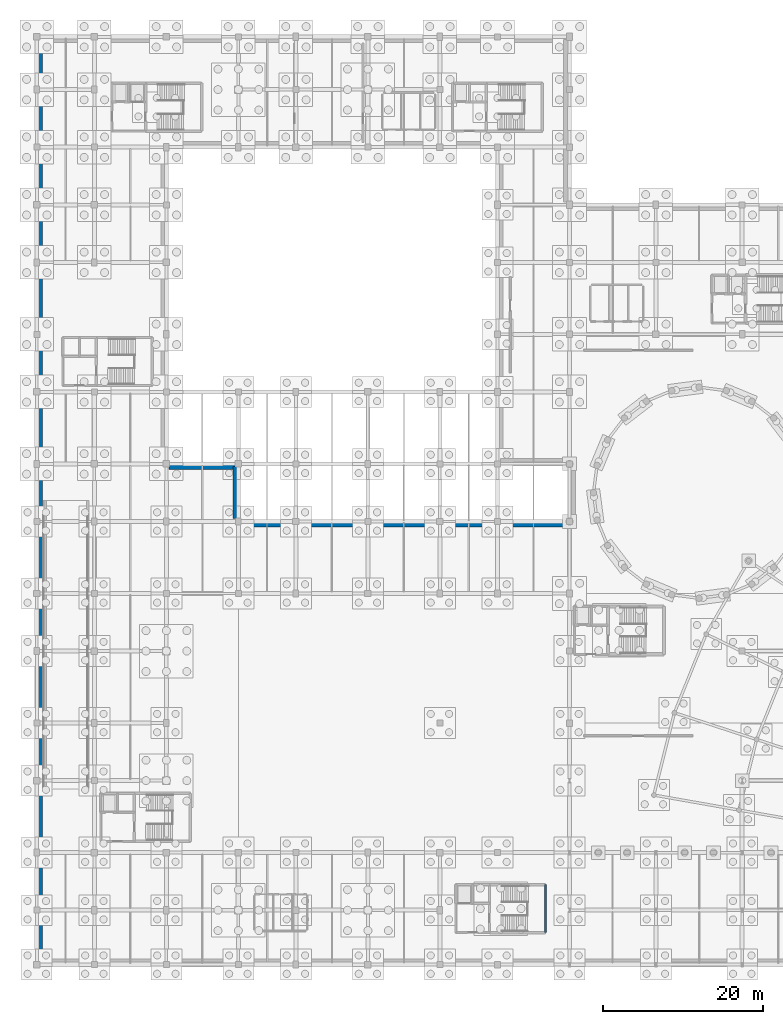
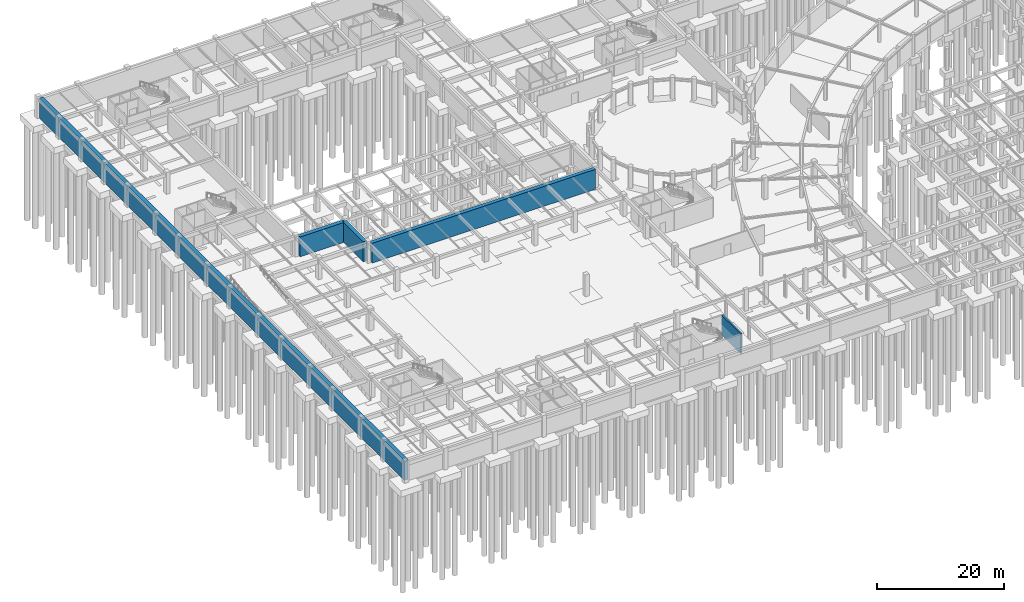
# One storey, part 32 of 42: 5 walls.
"""IFC4 building model written with IfcOpenShell, lengths in metres."""

import ifcopenshell
import ifcopenshell.guid

model = None  # the IFC model being written
_history = None  # IfcOwnerHistory: only IFC2X3 demands one
_inside = {}  # id of a spatial element -> (the spatial element, [elements in it])
_under = {}  # id of a project, library or spatial element -> (it, [spatial elements below it])
_declared = {}  # id of a project -> (the project, [libraries it declares])
_typed = {}  # id of a type object -> (the type object, [elements of that type])
_made_of = {}  # id of a material, layer set ... -> (it, [elements and type objects made of it])


def new_model(schema):
    """Start an empty IFC model of exactly this schema.

    Asked for "IFC4X3", IfcOpenShell would pick the latest addendum, in which some entities
    have other attributes; the version numbers below select the first issue.
    IFC2X3 requires an IfcOwnerHistory on every rooted entity: one is made here for all.
    """
    global model, _history
    if schema == "IFC4X3":
        model = ifcopenshell.file(schema_version=(4, 3, 0, 0))
    else:
        model = ifcopenshell.file(schema=schema)
    _inside.clear()
    _under.clear()
    _declared.clear()
    _typed.clear()
    _made_of.clear()
    _history = None
    if model.schema == "IFC2X3":
        org = make("IfcOrganization", Name="unknown")
        user = make(
            "IfcPersonAndOrganization",
            ThePerson=make("IfcPerson", FamilyName="unknown"),
            TheOrganization=org,
        )
        app = make(
            "IfcApplication",
            ApplicationDeveloper=org,
            Version="unknown",
            ApplicationFullName="unknown",
            ApplicationIdentifier="unknown",
        )
        _history = make(
            "IfcOwnerHistory",
            OwningUser=user,
            OwningApplication=app,
            ChangeAction="ADDED",
            CreationDate=0,
        )
    return model


def make(cls, **values):
    """One entity of the class cls with the attributes given. An attribute that is None is left unset."""
    return model.create_entity(
        cls, **{name: value for name, value in values.items() if value is not None}
    )


def rooted(cls, **values):
    """An entity with a GlobalId (a new one), such as an element, a storey or a relation."""
    return make(cls, GlobalId=ifcopenshell.guid.new(), OwnerHistory=_history, **values)


def si_unit(unit_type, name, prefix=None):
    """IfcSIUnit, for example si_unit("LENGTHUNIT", "METRE", prefix="MILLI")."""
    return make("IfcSIUnit", UnitType=unit_type, Prefix=prefix, Name=name)


def assignment(units):
    """IfcUnitAssignment: the units of a project."""
    return None if units is None else make("IfcUnitAssignment", Units=units)


def point(xyz):
    """IfcCartesianPoint."""
    return None if xyz is None else make("IfcCartesianPoint", Coordinates=xyz)


def direction(xyz):
    """IfcDirection."""
    return None if xyz is None else make("IfcDirection", DirectionRatios=xyz)


def frame(location, z_axis=None, x_axis=None):
    """IfcAxis2Placement3D, a coordinate frame: its origin and axes. An axis left out is left unset."""
    return make(
        "IfcAxis2Placement3D",
        Location=point(location),
        Axis=direction(z_axis),
        RefDirection=direction(x_axis),
    )


def frame_2d(location, x_axis=None):
    """IfcAxis2Placement2D, a coordinate frame in the plane: its origin and x axis."""
    return make(
        "IfcAxis2Placement2D", Location=point(location), RefDirection=direction(x_axis)
    )


def origin():
    """The frame at (0, 0, 0) with its axes left unset."""
    return frame((0.0, 0.0, 0.0))


def place(relative_to, where):
    """IfcLocalPlacement: puts the frame where relative to a parent placement (None: the world)."""
    return make(
        "IfcLocalPlacement", PlacementRelTo=relative_to, RelativePlacement=where
    )


def context(
    kind, dimensions, precision=None, world=None, true_north=None, identifier=None
):
    """IfcGeometricRepresentationContext, for example the 3D "Model" context."""
    return make(
        "IfcGeometricRepresentationContext",
        ContextIdentifier=identifier,
        ContextType=kind,
        CoordinateSpaceDimension=dimensions,
        Precision=precision,
        WorldCoordinateSystem=world,
        TrueNorth=true_north,
    )


def subcontext(parent, identifier, kind, view, scale=None):
    """IfcGeometricRepresentationSubContext, for example "Body" below "Model"."""
    return make(
        "IfcGeometricRepresentationSubContext",
        ContextIdentifier=identifier,
        ContextType=kind,
        ParentContext=parent,
        TargetScale=scale,
        TargetView=view,
    )


def project(units=None, contexts=None):
    """IfcProject with its units and contexts."""
    return rooted(
        "IfcProject",
        Name="project",
        RepresentationContexts=contexts,
        UnitsInContext=assignment(units),
    )


def spatial(cls, under=None, at=None, **own):
    """A site, building, storey or space (cls), placed at a placement, below another one or the project."""
    s = rooted(cls, ObjectPlacement=at, **own)
    if under is not None:
        _under.setdefault(under.id(), (under, []))[1].append(s)
    return s


def profile(cls, at=None, kind="AREA", **sizes):
    """A parametric profile (cls). Its sizes go by their IFC names, for example OverallWidth=200.0."""
    return make(cls, ProfileType=kind, Position=at, **sizes)


def rectangle(**sizes):
    """IfcRectangleProfileDef."""
    return profile("IfcRectangleProfileDef", **sizes)


def extrude(swept, where, along, depth):
    """IfcExtrudedAreaSolid: the profile swept, set in the frame where, extruded along a direction by depth."""
    return make(
        "IfcExtrudedAreaSolid",
        SweptArea=swept,
        Position=where,
        ExtrudedDirection=direction(along),
        Depth=depth,
    )


def shape(context_of_items, identifier, shape_type, items):
    """IfcShapeRepresentation: the items that make up one representation, for example the "Body"."""
    return make(
        "IfcShapeRepresentation",
        ContextOfItems=context_of_items,
        RepresentationIdentifier=identifier,
        RepresentationType=shape_type,
        Items=items,
    )


def material(Name=None, Category=None):
    """IfcMaterial."""
    return make("IfcMaterial", Name=Name, Category=Category)


def layer(
    of_material, thickness, ventilated=None, Name=None, Category=None, Priority=None
):
    """IfcMaterialLayer: one layer of a wall or slab, of a material (None: an air gap)."""
    return make(
        "IfcMaterialLayer",
        Material=of_material,
        LayerThickness=thickness,
        IsVentilated=ventilated,
        Name=Name,
        Category=Category,
        Priority=Priority,
    )


def layer_set(layers, Name=None):
    """IfcMaterialLayerSet."""
    return make("IfcMaterialLayerSet", MaterialLayers=layers, LayerSetName=Name)


def made_of(thing, what):
    """Note that an element or type object is made of a material, layer set ...; save() writes the relation."""
    if what is not None:
        _made_of.setdefault(what.id(), (what, []))[1].append(thing)
    return thing


def type_object(cls, material=None, **own):
    """A type object (cls), such as IfcWallType, which elements share."""
    return made_of(rooted(cls, **own), material)


def element(
    cls,
    number,
    at=None,
    inside=None,
    cuts=None,
    type_object=None,
    material=None,
    context=None,
    identifier="Body",
    shape_type=None,
    held_by="IfcProductDefinitionShape",
    body=None,
    shapes=None,
    **own,
):
    """One element of the class cls, such as IfcWall. Its Tag is "e" and its number.

    at: its placement. inside: the storey or other place that contains it. cuts: it is an
    opening in that element (IfcRelVoidsElement). A single representation is given by context,
    identifier, shape_type and body (its items); several are given by shapes. held_by: the class
    of the entity that holds the representations. save() writes the other relations.
    """
    e = rooted(cls, Tag="e%d" % number, ObjectPlacement=at, **own)
    if body is not None:
        shapes = [shape(context, identifier, shape_type, body)]
    if shapes is not None:
        e.Representation = make(held_by, Representations=shapes)
    if inside is not None:
        _inside.setdefault(inside.id(), (inside, []))[1].append(e)
    if cuts is not None:
        rooted(
            "IfcRelVoidsElement", RelatingBuildingElement=cuts, RelatedOpeningElement=e
        )
    if type_object is not None:
        _typed.setdefault(type_object.id(), (type_object, []))[1].append(e)
    return made_of(e, material)


def aggregate(whole, parts):
    """IfcRelAggregates: a whole, such as a stair, and the parts it consists of."""
    return rooted("IfcRelAggregates", RelatingObject=whole, RelatedObjects=parts)


def save(model, path):
    """Write the relations noted so far, then the file.

    IfcRelAggregates (storeys below a building ...), IfcRelContainedInSpatialStructure (elements
    in a storey), IfcRelDefinesByType, IfcRelAssociatesMaterial and IfcRelDeclares: one each for
    every whole, place, type object, material and project.
    """
    for whole, parts in _under.values():
        aggregate(whole, parts)
    for where, things in _inside.values():
        rooted(
            "IfcRelContainedInSpatialStructure",
            RelatedElements=things,
            RelatingStructure=where,
        )
    for kind, things in _typed.values():
        rooted("IfcRelDefinesByType", RelatedObjects=things, RelatingType=kind)
    for what, things in _made_of.values():
        rooted("IfcRelAssociatesMaterial", RelatedObjects=things, RelatingMaterial=what)
    for by, libraries in _declared.values():
        rooted("IfcRelDeclares", RelatingContext=by, RelatedDefinitions=libraries)
    model.write(path)


model = new_model("IFC4")

# Units and contexts
model_context = context("Model", 3, precision=1e-05, world=origin(), true_north=direction((0.0, 1.0)))
body_context = subcontext(model_context, "Body", "Model", "MODEL_VIEW")
ifc_project = project(units=[si_unit("LENGTHUNIT", "METRE"), si_unit("AREAUNIT", "SQUARE_METRE"), si_unit("VOLUMEUNIT", "CUBIC_METRE"), si_unit("PLANEANGLEUNIT", "RADIAN"), si_unit("MASSUNIT", "GRAM", prefix="KILO")], contexts=[model_context])

# Site, building, storey
site_placement = place(None, origin())
site = spatial("IfcSite", under=ifc_project, at=site_placement, CompositionType="ELEMENT")
building_placement = place(site_placement, origin())
building = spatial("IfcBuilding", under=site, at=building_placement, Name="Clarverna Civic Hall", CompositionType="ELEMENT")
storey_placement = place(building_placement, frame((0.0, 0.0, -4.199951171875)))
storey = spatial("IfcBuildingStorey", under=building, at=storey_placement, Name="B01", CompositionType="ELEMENT", Elevation=-4.199951171875)

# Walls
ifc_material_1 = material(Name="Concrete C30/37", Category="concrete")
ifc_layer_1 = layer(ifc_material_1, 0.699951171875)
ifc_layer_set_1 = layer_set([ifc_layer_1], Name="Concrete C30/37")
wall_type_1 = type_object("IfcWallType", Name="DW-01", PredefinedType="SOLIDWALL", material=ifc_layer_set_1)
wall_1_placement = place(storey_placement, frame((0.35009765625, 0.35009765625, 0.0), z_axis=(0.0, 0.0, 1.0), x_axis=(0.0, 1.0, 0.0)))
element("IfcWall", 1, at=wall_1_placement, inside=storey, type_object=wall_type_1, Name="DW-01-001", PredefinedType="SOLIDWALL", context=body_context, shape_type="SweptSolid", body=[
    extrude(rectangle(XDim=115.2998046875, YDim=0.699951171875, at=frame_2d((57.64990234375, 0.0))), origin(), (0.0, 0.0, 1.0), 3.83984375),
])
wall_2_placement = place(storey_placement, frame((16.550048828125, 62.25, 0.0), z_axis=(0.0, 0.0, 1.0), x_axis=(1.0, 0.0, 0.0)))
element("IfcWall", 2, at=wall_2_placement, inside=storey, type_object=wall_type_1, Name="DW-01-050", PredefinedType="SOLIDWALL", context=body_context, shape_type="SweptSolid", body=[
    extrude(rectangle(XDim=8.300048828125, YDim=0.699951171875, at=frame_2d((4.14990234375, 0.0))), origin(), (0.0, 0.0, 1.0), 3.83984375),
])
wall_3_placement = place(storey_placement, frame((24.85009765625, 62.25, 0.0), z_axis=(0.0, 0.0, 1.0), x_axis=(0.0, -1.0, 0.0)))
element("IfcWall", 3, at=wall_3_placement, inside=storey, type_object=wall_type_1, Name="DW-01-051", PredefinedType="SOLIDWALL", context=body_context, shape_type="SweptSolid", body=[
    extrude(rectangle(XDim=6.5, YDim=0.699951171875, at=frame_2d((3.25, 0.0))), origin(), (0.0, 0.0, 1.0), 3.83984375),
])
wall_4_placement = place(storey_placement, frame((25.550048828125, 55.050048828125, 0.0), z_axis=(0.0, 0.0, 1.0), x_axis=(1.0, 0.0, 0.0)))
element("IfcWall", 4, at=wall_4_placement, inside=storey, type_object=wall_type_1, Name="DW-01-052", PredefinedType="SOLIDWALL", context=body_context, shape_type="SweptSolid", body=[
    extrude(rectangle(XDim=40.724853515625, YDim=0.699951171875, at=frame_2d((20.3623046875, 0.0))), origin(), (0.0, 0.0, 1.0), 3.83984375),
])
ifc_material_2 = material(Name="Concrete C35/45", Category="concrete")
ifc_layer_2 = layer(ifc_material_2, 0.300048828125)
ifc_layer_set_2 = layer_set([ifc_layer_2], Name="Concrete C35/45")
wall_type_2 = type_object("IfcWallType", Name="SW-03", PredefinedType="SHEAR", material=ifc_layer_set_2)
wall_5_placement = place(storey_placement, frame((63.60009765625, 4.0, 0.0), z_axis=(0.0, 0.0, 1.0), x_axis=(0.0, 1.0, 0.0)))
element("IfcWall", 5, at=wall_5_placement, inside=storey, type_object=wall_type_2, Name="SW-03-056", PredefinedType="SHEAR", context=body_context, shape_type="SweptSolid", body=[
    extrude(rectangle(XDim=6.0, YDim=0.300048828125, at=frame_2d((3.0, 0.0))), origin(), (0.0, 0.0, 1.0), 3.83984375),
])

save(model, "model.ifc")
